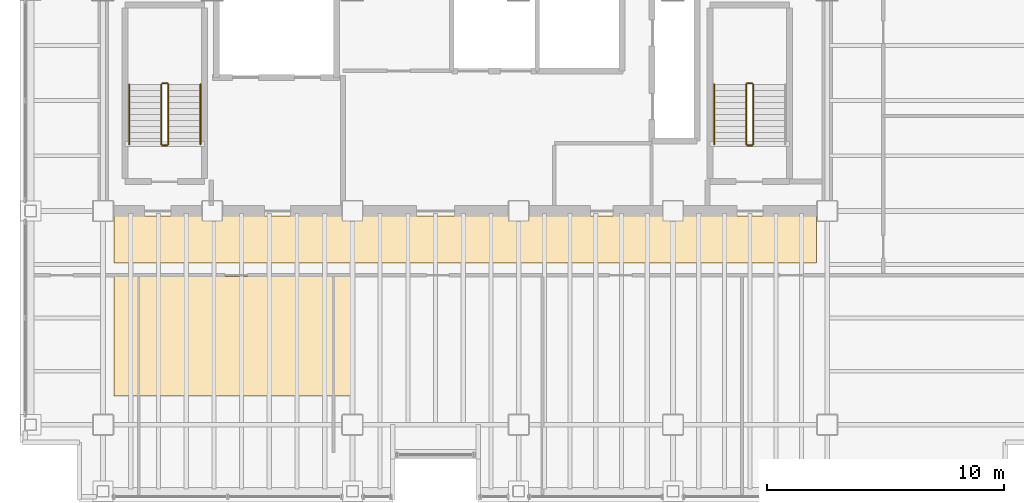
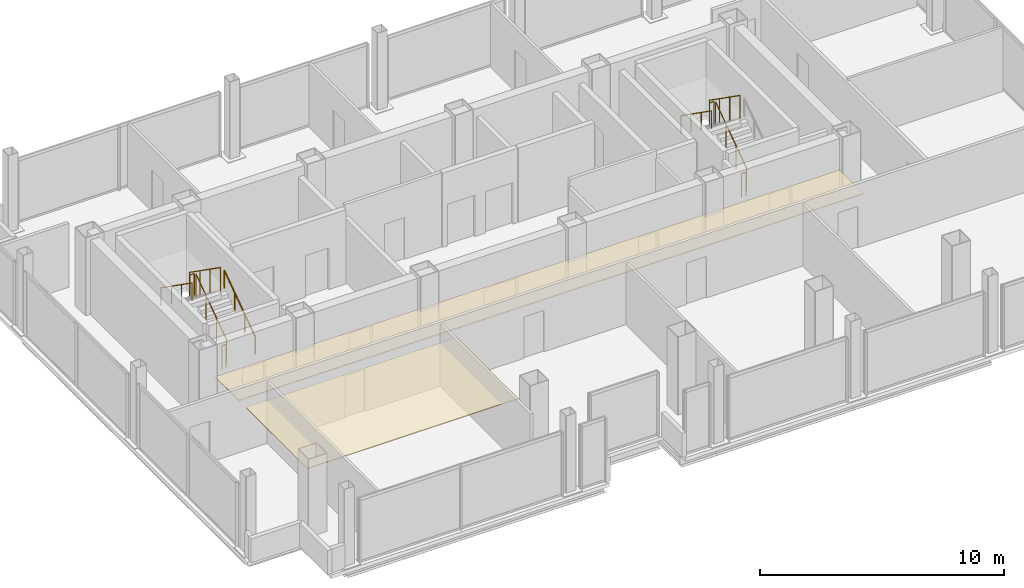
# One storey, part 15 of 16: 11 railings, 2 coverings.
"""IFC4 building model written with IfcOpenShell, lengths in metres."""

from ifc_helpers import new_model, si_unit, direction, frame, origin, origin_2d, place, context, subcontext, project, spatial, polyline, circle, outline, extrude, material, layer, layer_set, type_object, element, save


model = new_model("IFC4")

# Units and contexts
model_context = context("Model", 3, precision=1e-05, world=origin(), true_north=direction((0.0, 1.0)))
body_context = subcontext(model_context, "Body", "Model", "MODEL_VIEW")
ifc_project = project(units=[si_unit("LENGTHUNIT", "METRE"), si_unit("AREAUNIT", "SQUARE_METRE"), si_unit("VOLUMEUNIT", "CUBIC_METRE"), si_unit("PLANEANGLEUNIT", "RADIAN"), si_unit("MASSUNIT", "GRAM", prefix="KILO")], contexts=[model_context])

# Site, building, storey
site_placement = place(None, origin())
site = spatial("IfcSite", under=ifc_project, at=site_placement, CompositionType="ELEMENT")
building_placement = place(site_placement, origin())
building = spatial("IfcBuilding", under=site, at=building_placement, Name="Noeulbin Bourse Tower", CompositionType="ELEMENT")
storey_placement = place(building_placement, frame((0.0, 0.0, 185.10009765625)))
storey = spatial("IfcBuildingStorey", under=building, at=storey_placement, Name="L46", CompositionType="ELEMENT", Elevation=185.10009765625)

# Coverings
ifc_material_1 = material(Name="Perforated Mineral-Fibre Acoustic Tile")
ifc_layer_1 = layer(ifc_material_1, 0.0400390625)
ifc_layer_set_1 = layer_set([ifc_layer_1], Name="Perforated Mineral-Fibre Acoustic Tile")
covering_type = type_object("IfcCoveringType", Name="COV-CEIL-ACT", PredefinedType="CEILING", material=ifc_layer_set_1)
covering_1_placement = place(storey_placement, frame((0.0, 0.0, 2.10986328125)))
element("IfcCovering", 1, at=covering_1_placement, inside=storey, type_object=covering_type, Name="Corridor Suspended Ceiling L46", PredefinedType="CEILING", context=body_context, shape_type="SweptSolid", body=[
    extrude(outline(polyline([(13.949951171875, 26.820068359375), (43.550048828125, 26.820068359375), (43.550048828125, 28.780029296875), (13.949951171875, 28.780029296875), (13.949951171875, 26.820068359375)])), origin(), (0.0, 0.0, 1.0), 0.0400390625),
])
covering_2_placement = place(storey_placement, frame((0.0, 0.0, 2.10986328125)))
element("IfcCovering", 2, at=covering_2_placement, inside=storey, type_object=covering_type, Name="Trading Suite Acoustic Ceiling L46", PredefinedType="CEILING", context=body_context, shape_type="SweptSolid", body=[
    extrude(outline(polyline([(13.949951171875, 21.199951171875), (23.949951171875, 21.199951171875), (23.949951171875, 26.25), (13.949951171875, 26.25), (13.949951171875, 21.199951171875)])), origin(), (0.0, 0.0, 1.0), 0.0400390625),
])

# Railings
ifc_material_2 = material(Name="Painted Tubular Steel S355", Category="steel")
ifc_layer_2 = layer(ifc_material_2, 0.048095703125)
ifc_layer_set_2 = layer_set([ifc_layer_2], Name="Painted Tubular Steel S355")
railing_type_1 = type_object("IfcRailingType", Name="RLG-STR-GRD", PredefinedType="GUARDRAIL", material=ifc_layer_set_2)
railing_1_placement = place(storey_placement, frame((16.25, 31.81005859375, 0.17724609375)))
element("IfcRailing", 3, at=railing_1_placement, inside=storey, type_object=railing_type_1, Name="L46 ST-1 stair guard 1", PredefinedType="GUARDRAIL", context=body_context, shape_type="SweptSolid", body=[
    extrude(circle(Radius=0.02392578125, at=origin_2d()), frame((0.0, 0.0, 1.17578125), z_axis=(0.0, 0.817904474719, 0.575354039036), x_axis=(-1.0, 0.0, 0.0)), (0.0, 0.0, 1.0), 3.0810546875),
    extrude(circle(Radius=0.02099609375, at=origin_2d()), origin(), (0.0, 0.0, 1.0), 1.15185546875),
    extrude(circle(Radius=0.02099609375, at=origin_2d()), frame((0.0, 0.840087890625, 0.5908203125)), (0.0, 0.0, 1.0), 1.15185546875),
    extrude(circle(Radius=0.02099609375, at=origin_2d()), frame((0.0, 1.679931640625, 1.181884765625)), (0.0, 0.0, 1.0), 1.15185546875),
    extrude(circle(Radius=0.02099609375, at=origin_2d()), frame((0.0, 2.52001953125, 1.772705078125)), (0.0, 0.0, 1.0), 1.15185546875),
])
railing_2_placement = place(storey_placement, frame((16.199951171875, 34.3798828125, 1.949951171875)))
element("IfcRailing", 4, at=railing_2_placement, inside=storey, type_object=railing_type_1, Name="L46 ST-1 stair guard 2", PredefinedType="GUARDRAIL", context=body_context, shape_type="SweptSolid", body=[
    extrude(circle(Radius=0.02392578125, at=origin_2d()), frame((0.0, 0.0, 1.17578125), z_axis=(-1.0, 0.0, 0.0), x_axis=(0.0, -1.0, 0.0)), (0.0, 0.0, 1.0), 0.199951171875),
    extrude(circle(Radius=0.02099609375, at=origin_2d()), origin(), (0.0, 0.0, 1.0), 1.15185546875),
    extrude(circle(Radius=0.02099609375, at=origin_2d()), frame((-0.199951171875, 0.0, 0.0)), (0.0, 0.0, 1.0), 1.15185546875),
])
railing_3_placement = place(storey_placement, frame((15.949951171875, 34.330078125, 2.127197265625)))
element("IfcRailing", 5, at=railing_3_placement, inside=storey, type_object=railing_type_1, Name="L46 ST-1 stair guard 3", PredefinedType="GUARDRAIL", context=body_context, shape_type="SweptSolid", body=[
    extrude(circle(Radius=0.02392578125, at=origin_2d()), frame((0.0, 0.0, 1.17578125), z_axis=(0.0, -0.817904474719, 0.575354039036), x_axis=(1.0, 0.0, 0.0)), (0.0, 0.0, 1.0), 3.0810546875),
    extrude(circle(Radius=0.02099609375, at=origin_2d()), origin(), (0.0, 0.0, 1.0), 1.15185546875),
    extrude(circle(Radius=0.02099609375, at=origin_2d()), frame((0.0, -0.840087890625, 0.5908203125)), (0.0, 0.0, 1.0), 1.15185546875),
    extrude(circle(Radius=0.02099609375, at=origin_2d()), frame((0.0, -1.679931640625, 1.181884765625)), (0.0, 0.0, 1.0), 1.15185546875),
    extrude(circle(Radius=0.02099609375, at=origin_2d()), frame((0.0, -2.52001953125, 1.772705078125)), (0.0, 0.0, 1.0), 1.15185546875),
])
railing_4_placement = place(storey_placement, frame((16.199951171875, 31.760009765625, 0.0)))
element("IfcRailing", 6, at=railing_4_placement, inside=storey, type_object=railing_type_1, Name="L46 ST-1 stair guard 4", PredefinedType="GUARDRAIL", context=body_context, shape_type="SweptSolid", body=[
    extrude(circle(Radius=0.02392578125, at=origin_2d()), frame((0.0, 0.0, 1.17578125), z_axis=(-1.0, 0.0, 0.0), x_axis=(0.0, -1.0, 0.0)), (0.0, 0.0, 1.0), 0.199951171875),
    extrude(circle(Radius=0.02099609375, at=origin_2d()), origin(), (0.0, 0.0, 1.0), 1.15185546875),
    extrude(circle(Radius=0.02099609375, at=origin_2d()), frame((-0.199951171875, 0.0, 0.0)), (0.0, 0.0, 1.0), 1.15185546875),
])
railing_5_placement = place(storey_placement, frame((40.8798828125, 31.81005859375, 0.17724609375)))
element("IfcRailing", 7, at=railing_5_placement, inside=storey, type_object=railing_type_1, Name="L46 ST-2 stair guard 1", PredefinedType="GUARDRAIL", context=body_context, shape_type="SweptSolid", body=[
    extrude(circle(Radius=0.02392578125, at=origin_2d()), frame((0.0, 0.0, 1.17578125), z_axis=(0.0, 0.817904474719, 0.575354039036), x_axis=(-1.0, 0.0, 0.0)), (0.0, 0.0, 1.0), 3.0810546875),
    extrude(circle(Radius=0.02099609375, at=origin_2d()), origin(), (0.0, 0.0, 1.0), 1.15185546875),
    extrude(circle(Radius=0.02099609375, at=origin_2d()), frame((0.0, 0.840087890625, 0.5908203125)), (0.0, 0.0, 1.0), 1.15185546875),
    extrude(circle(Radius=0.02099609375, at=origin_2d()), frame((0.0, 1.679931640625, 1.181884765625)), (0.0, 0.0, 1.0), 1.15185546875),
    extrude(circle(Radius=0.02099609375, at=origin_2d()), frame((0.0, 2.52001953125, 1.772705078125)), (0.0, 0.0, 1.0), 1.15185546875),
])
railing_6_placement = place(storey_placement, frame((40.830078125, 34.3798828125, 1.949951171875)))
element("IfcRailing", 8, at=railing_6_placement, inside=storey, type_object=railing_type_1, Name="L46 ST-2 stair guard 2", PredefinedType="GUARDRAIL", context=body_context, shape_type="SweptSolid", body=[
    extrude(circle(Radius=0.02392578125, at=origin_2d()), frame((0.0, 0.0, 1.17578125), z_axis=(-1.0, 0.0, 0.0), x_axis=(0.0, -1.0, 0.0)), (0.0, 0.0, 1.0), 0.2001953125),
    extrude(circle(Radius=0.02099609375, at=origin_2d()), origin(), (0.0, 0.0, 1.0), 1.15185546875),
    extrude(circle(Radius=0.02099609375, at=origin_2d()), frame((-0.2001953125, 0.0, 0.0)), (0.0, 0.0, 1.0), 1.15185546875),
])
railing_7_placement = place(storey_placement, frame((40.580078125, 34.330078125, 2.127197265625)))
element("IfcRailing", 9, at=railing_7_placement, inside=storey, type_object=railing_type_1, Name="L46 ST-2 stair guard 3", PredefinedType="GUARDRAIL", context=body_context, shape_type="SweptSolid", body=[
    extrude(circle(Radius=0.02392578125, at=origin_2d()), frame((0.0, 0.0, 1.17578125), z_axis=(0.0, -0.817904474719, 0.575354039036), x_axis=(1.0, 0.0, 0.0)), (0.0, 0.0, 1.0), 3.0810546875),
    extrude(circle(Radius=0.02099609375, at=origin_2d()), origin(), (0.0, 0.0, 1.0), 1.15185546875),
    extrude(circle(Radius=0.02099609375, at=origin_2d()), frame((0.0, -0.840087890625, 0.5908203125)), (0.0, 0.0, 1.0), 1.15185546875),
    extrude(circle(Radius=0.02099609375, at=origin_2d()), frame((0.0, -1.679931640625, 1.181884765625)), (0.0, 0.0, 1.0), 1.15185546875),
    extrude(circle(Radius=0.02099609375, at=origin_2d()), frame((0.0, -2.52001953125, 1.772705078125)), (0.0, 0.0, 1.0), 1.15185546875),
])
railing_8_placement = place(storey_placement, frame((40.830078125, 31.760009765625, 0.0)))
element("IfcRailing", 10, at=railing_8_placement, inside=storey, type_object=railing_type_1, Name="L46 ST-2 stair guard 4", PredefinedType="GUARDRAIL", context=body_context, shape_type="SweptSolid", body=[
    extrude(circle(Radius=0.02392578125, at=origin_2d()), frame((0.0, 0.0, 1.17578125), z_axis=(-1.0, 0.0, 0.0), x_axis=(0.0, -1.0, 0.0)), (0.0, 0.0, 1.0), 0.2001953125),
    extrude(circle(Radius=0.02099609375, at=origin_2d()), origin(), (0.0, 0.0, 1.0), 1.15185546875),
    extrude(circle(Radius=0.02099609375, at=origin_2d()), frame((-0.2001953125, 0.0, 0.0)), (0.0, 0.0, 1.0), 1.15185546875),
])
ifc_material_3 = material(Name="Brushed Stainless Steel 316", Category="steel")
ifc_layer_3 = layer(ifc_material_3, 0.048095703125)
ifc_layer_set_3 = layer_set([ifc_layer_3], Name="Brushed Stainless Steel 316")
railing_type_2 = type_object("IfcRailingType", Name="RLG-STR-HND", PredefinedType="HANDRAIL", material=ifc_layer_set_3)
railing_9_placement = place(storey_placement, frame((17.60009765625, 31.81005859375, 0.17724609375)))
element("IfcRailing", 11, at=railing_9_placement, inside=storey, type_object=railing_type_2, Name="L46 ST-1 stair handrail 1", PredefinedType="HANDRAIL", context=body_context, shape_type="SweptSolid", body=[
    extrude(circle(Radius=0.02392578125, at=origin_2d()), frame((0.0, 0.0, 0.8759765625), z_axis=(0.0, 0.817904474719, 0.575354039036), x_axis=(-1.0, 0.0, 0.0)), (0.0, 0.0, 1.0), 3.0810546875),
    extrude(circle(Radius=0.02099609375, at=origin_2d()), origin(), (0.0, 0.0, 1.0), 0.851806640625),
    extrude(circle(Radius=0.02099609375, at=origin_2d()), frame((0.0, 0.840087890625, 0.5908203125)), (0.0, 0.0, 1.0), 0.851806640625),
    extrude(circle(Radius=0.02099609375, at=origin_2d()), frame((0.0, 1.679931640625, 1.181884765625)), (0.0, 0.0, 1.0), 0.851806640625),
    extrude(circle(Radius=0.02099609375, at=origin_2d()), frame((0.0, 2.52001953125, 1.772705078125)), (0.0, 0.0, 1.0), 0.851806640625),
])
for number, where, name in (
    (12, (14.60009765625, 34.330078125, 2.127197265625), "L46 ST-1 stair handrail 2"),
    (13, (39.22998046875, 34.330078125, 2.127197265625), "L46 ST-2 stair handrail 2"),
):
    element("IfcRailing", number, at=place(storey_placement, frame(where)), inside=storey, type_object=railing_type_2, Name=name, PredefinedType="HANDRAIL", context=body_context, shape_type="SweptSolid", body=[
        extrude(circle(Radius=0.02392578125, at=origin_2d()), frame((0.0, 0.0, 0.8759765625), z_axis=(0.0, -0.817904474719, 0.575354039036), x_axis=(1.0, 0.0, 0.0)), (0.0, 0.0, 1.0), 3.0810546875),
        extrude(circle(Radius=0.02099609375, at=origin_2d()), origin(), (0.0, 0.0, 1.0), 0.851806640625),
        extrude(circle(Radius=0.02099609375, at=origin_2d()), frame((0.0, -0.840087890625, 0.5908203125)), (0.0, 0.0, 1.0), 0.851806640625),
        extrude(circle(Radius=0.02099609375, at=origin_2d()), frame((0.0, -1.679931640625, 1.181884765625)), (0.0, 0.0, 1.0), 0.851806640625),
        extrude(circle(Radius=0.02099609375, at=origin_2d()), frame((0.0, -2.52001953125, 1.772705078125)), (0.0, 0.0, 1.0), 0.851806640625),
    ])

save(model, "model.ifc")
